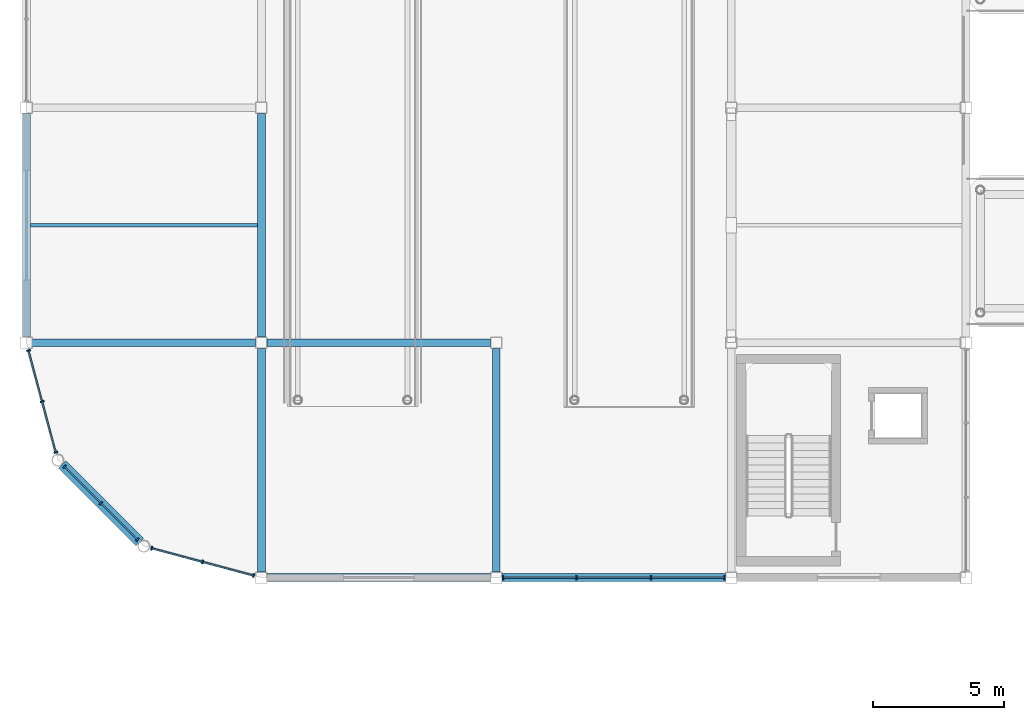
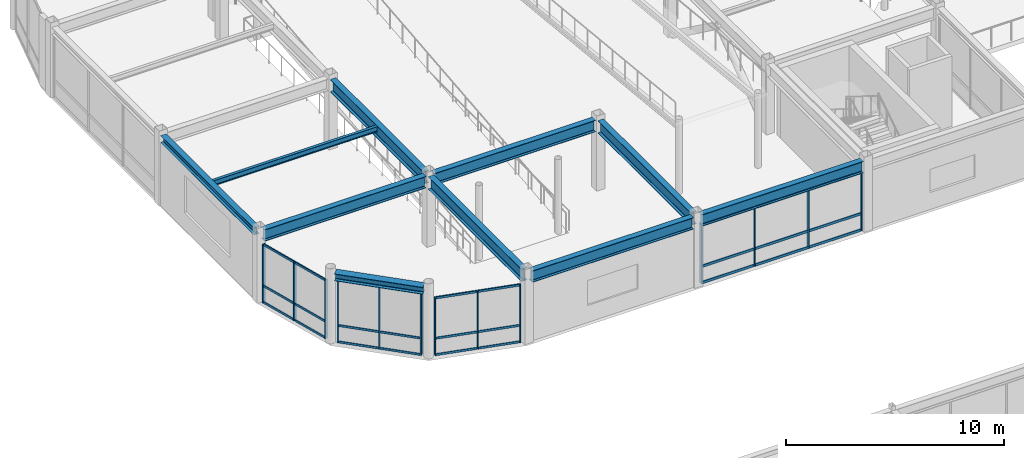
# One storey, part 31 of 105: 40 members, 10 beams, 4 elements without a shape of their own.
"""IFC4 building model written with IfcOpenShell, lengths in metres."""

import ifcopenshell
import ifcopenshell.guid

model = None  # the IFC model being written
_history = None  # IfcOwnerHistory: only IFC2X3 demands one
_inside = {}  # id of a spatial element -> (the spatial element, [elements in it])
_under = {}  # id of a project, library or spatial element -> (it, [spatial elements below it])
_declared = {}  # id of a project -> (the project, [libraries it declares])
_typed = {}  # id of a type object -> (the type object, [elements of that type])
_made_of = {}  # id of a material, layer set ... -> (it, [elements and type objects made of it])


def new_model(schema):
    """Start an empty IFC model of exactly this schema.

    Asked for "IFC4X3", IfcOpenShell would pick the latest addendum, in which some entities
    have other attributes; the version numbers below select the first issue.
    IFC2X3 requires an IfcOwnerHistory on every rooted entity: one is made here for all.
    """
    global model, _history
    if schema == "IFC4X3":
        model = ifcopenshell.file(schema_version=(4, 3, 0, 0))
    else:
        model = ifcopenshell.file(schema=schema)
    _inside.clear()
    _under.clear()
    _declared.clear()
    _typed.clear()
    _made_of.clear()
    _history = None
    if model.schema == "IFC2X3":
        org = make("IfcOrganization", Name="unknown")
        user = make(
            "IfcPersonAndOrganization",
            ThePerson=make("IfcPerson", FamilyName="unknown"),
            TheOrganization=org,
        )
        app = make(
            "IfcApplication",
            ApplicationDeveloper=org,
            Version="unknown",
            ApplicationFullName="unknown",
            ApplicationIdentifier="unknown",
        )
        _history = make(
            "IfcOwnerHistory",
            OwningUser=user,
            OwningApplication=app,
            ChangeAction="ADDED",
            CreationDate=0,
        )
    return model


def make(cls, **values):
    """One entity of the class cls with the attributes given. An attribute that is None is left unset."""
    return model.create_entity(
        cls, **{name: value for name, value in values.items() if value is not None}
    )


def rooted(cls, **values):
    """An entity with a GlobalId (a new one), such as an element, a storey or a relation."""
    return make(cls, GlobalId=ifcopenshell.guid.new(), OwnerHistory=_history, **values)


def si_unit(unit_type, name, prefix=None):
    """IfcSIUnit, for example si_unit("LENGTHUNIT", "METRE", prefix="MILLI")."""
    return make("IfcSIUnit", UnitType=unit_type, Prefix=prefix, Name=name)


def assignment(units):
    """IfcUnitAssignment: the units of a project."""
    return None if units is None else make("IfcUnitAssignment", Units=units)


def point(xyz):
    """IfcCartesianPoint."""
    return None if xyz is None else make("IfcCartesianPoint", Coordinates=xyz)


def direction(xyz):
    """IfcDirection."""
    return None if xyz is None else make("IfcDirection", DirectionRatios=xyz)


def frame(location, z_axis=None, x_axis=None):
    """IfcAxis2Placement3D, a coordinate frame: its origin and axes. An axis left out is left unset."""
    return make(
        "IfcAxis2Placement3D",
        Location=point(location),
        Axis=direction(z_axis),
        RefDirection=direction(x_axis),
    )


def frame_2d(location, x_axis=None):
    """IfcAxis2Placement2D, a coordinate frame in the plane: its origin and x axis."""
    return make(
        "IfcAxis2Placement2D", Location=point(location), RefDirection=direction(x_axis)
    )


def origin():
    """The frame at (0, 0, 0) with its axes left unset."""
    return frame((0.0, 0.0, 0.0))


def origin_2d():
    """The frame at (0, 0) in the plane with its x axis left unset."""
    return frame_2d((0.0, 0.0))


def place(relative_to, where):
    """IfcLocalPlacement: puts the frame where relative to a parent placement (None: the world)."""
    return make(
        "IfcLocalPlacement", PlacementRelTo=relative_to, RelativePlacement=where
    )


def context(
    kind, dimensions, precision=None, world=None, true_north=None, identifier=None
):
    """IfcGeometricRepresentationContext, for example the 3D "Model" context."""
    return make(
        "IfcGeometricRepresentationContext",
        ContextIdentifier=identifier,
        ContextType=kind,
        CoordinateSpaceDimension=dimensions,
        Precision=precision,
        WorldCoordinateSystem=world,
        TrueNorth=true_north,
    )


def subcontext(parent, identifier, kind, view, scale=None):
    """IfcGeometricRepresentationSubContext, for example "Body" below "Model"."""
    return make(
        "IfcGeometricRepresentationSubContext",
        ContextIdentifier=identifier,
        ContextType=kind,
        ParentContext=parent,
        TargetScale=scale,
        TargetView=view,
    )


def project(units=None, contexts=None):
    """IfcProject with its units and contexts."""
    return rooted(
        "IfcProject",
        Name="project",
        RepresentationContexts=contexts,
        UnitsInContext=assignment(units),
    )


def spatial(cls, under=None, at=None, **own):
    """A site, building, storey or space (cls), placed at a placement, below another one or the project."""
    s = rooted(cls, ObjectPlacement=at, **own)
    if under is not None:
        _under.setdefault(under.id(), (under, []))[1].append(s)
    return s


def profile(cls, at=None, kind="AREA", **sizes):
    """A parametric profile (cls). Its sizes go by their IFC names, for example OverallWidth=200.0."""
    return make(cls, ProfileType=kind, Position=at, **sizes)


def rectangle(**sizes):
    """IfcRectangleProfileDef."""
    return profile("IfcRectangleProfileDef", **sizes)


def i_section(**sizes):
    """IfcIShapeProfileDef."""
    return profile("IfcIShapeProfileDef", **sizes)


def extrude(swept, where, along, depth):
    """IfcExtrudedAreaSolid: the profile swept, set in the frame where, extruded along a direction by depth."""
    return make(
        "IfcExtrudedAreaSolid",
        SweptArea=swept,
        Position=where,
        ExtrudedDirection=direction(along),
        Depth=depth,
    )


def shape(context_of_items, identifier, shape_type, items):
    """IfcShapeRepresentation: the items that make up one representation, for example the "Body"."""
    return make(
        "IfcShapeRepresentation",
        ContextOfItems=context_of_items,
        RepresentationIdentifier=identifier,
        RepresentationType=shape_type,
        Items=items,
    )


def material(Name=None, Category=None):
    """IfcMaterial."""
    return make("IfcMaterial", Name=Name, Category=Category)


def material_profile(
    of_material, cross_section, Name=None, Category=None, Priority=None
):
    """IfcMaterialProfile: a cross section and its material."""
    return make(
        "IfcMaterialProfile",
        Name=Name,
        Material=of_material,
        Profile=cross_section,
        Priority=Priority,
        Category=Category,
    )


def profile_set(profiles, Name=None, composite=None):
    """IfcMaterialProfileSet."""
    return make(
        "IfcMaterialProfileSet",
        Name=Name,
        MaterialProfiles=profiles,
        CompositeProfile=composite,
    )


def made_of(thing, what):
    """Note that an element or type object is made of a material, layer set ...; save() writes the relation."""
    if what is not None:
        _made_of.setdefault(what.id(), (what, []))[1].append(thing)
    return thing


def type_object(cls, material=None, **own):
    """A type object (cls), such as IfcWallType, which elements share."""
    return made_of(rooted(cls, **own), material)


def element(
    cls,
    number,
    at=None,
    inside=None,
    cuts=None,
    type_object=None,
    material=None,
    context=None,
    identifier="Body",
    shape_type=None,
    held_by="IfcProductDefinitionShape",
    body=None,
    shapes=None,
    **own,
):
    """One element of the class cls, such as IfcWall. Its Tag is "e" and its number.

    at: its placement. inside: the storey or other place that contains it. cuts: it is an
    opening in that element (IfcRelVoidsElement). A single representation is given by context,
    identifier, shape_type and body (its items); several are given by shapes. held_by: the class
    of the entity that holds the representations. save() writes the other relations.
    """
    e = rooted(cls, Tag="e%d" % number, ObjectPlacement=at, **own)
    if body is not None:
        shapes = [shape(context, identifier, shape_type, body)]
    if shapes is not None:
        e.Representation = make(held_by, Representations=shapes)
    if inside is not None:
        _inside.setdefault(inside.id(), (inside, []))[1].append(e)
    if cuts is not None:
        rooted(
            "IfcRelVoidsElement", RelatingBuildingElement=cuts, RelatedOpeningElement=e
        )
    if type_object is not None:
        _typed.setdefault(type_object.id(), (type_object, []))[1].append(e)
    return made_of(e, material)


def aggregate(whole, parts):
    """IfcRelAggregates: a whole, such as a stair, and the parts it consists of."""
    return rooted("IfcRelAggregates", RelatingObject=whole, RelatedObjects=parts)


def save(model, path):
    """Write the relations noted so far, then the file.

    IfcRelAggregates (storeys below a building ...), IfcRelContainedInSpatialStructure (elements
    in a storey), IfcRelDefinesByType, IfcRelAssociatesMaterial and IfcRelDeclares: one each for
    every whole, place, type object, material and project.
    """
    for whole, parts in _under.values():
        aggregate(whole, parts)
    for where, things in _inside.values():
        rooted(
            "IfcRelContainedInSpatialStructure",
            RelatedElements=things,
            RelatingStructure=where,
        )
    for kind, things in _typed.values():
        rooted("IfcRelDefinesByType", RelatedObjects=things, RelatingType=kind)
    for what, things in _made_of.values():
        rooted("IfcRelAssociatesMaterial", RelatedObjects=things, RelatingMaterial=what)
    for by, libraries in _declared.values():
        rooted("IfcRelDeclares", RelatingContext=by, RelatedDefinitions=libraries)
    model.write(path)


model = new_model("IFC4")

# Units and contexts
model_context = context("Model", 3, precision=1e-05, world=origin(), true_north=direction((0.0, 1.0)))
body_context = subcontext(model_context, "Body", "Model", "MODEL_VIEW")
ifc_project = project(units=[si_unit("LENGTHUNIT", "METRE"), si_unit("AREAUNIT", "SQUARE_METRE"), si_unit("VOLUMEUNIT", "CUBIC_METRE"), si_unit("PLANEANGLEUNIT", "RADIAN"), si_unit("MASSUNIT", "GRAM", prefix="KILO")], contexts=[model_context])

# Site, building, storey
site_placement = place(None, origin())
site = spatial("IfcSite", under=ifc_project, at=site_placement, CompositionType="ELEMENT")
building_placement = place(site_placement, origin())
building = spatial("IfcBuilding", under=site, at=building_placement, Name="Suzunagisa Mobility Hub", CompositionType="ELEMENT")
storey_placement = place(building_placement, frame((0.0, 0.0, 5.10009765625)))
storey = spatial("IfcBuildingStorey", under=building, at=storey_placement, Name="L01", CompositionType="ELEMENT", Elevation=5.10009765625)

# Curtain wall, members
ifc_material_1 = material(Name="Thermally Broken Anodized Aluminum and Low-E Glazing", Category="aluminium")
curtain_wall_type_1 = type_object("IfcCurtainWallType", Name="Unitised Curtain Wall CW-43 8500x3300", PredefinedType="USERDEFINED", material=ifc_material_1)
curtain_wall_1_placement = place(storey_placement, origin())
curtain_wall_1 = element("IfcCurtainWall", 1, at=curtain_wall_1_placement, inside=storey, type_object=curtain_wall_type_1, Name="L01 Unitised Curtain Wall CW-55", ObjectType="UNITISED CURTAIN WALL", PredefinedType="USERDEFINED")
ifc_material_2 = material(Name="Anodized Aluminum 6063-T6", Category="aluminium")
ifc_material_profile_1 = material_profile(ifc_material_2, rectangle(XDim=0.06494140625, YDim=0.139892578125, at=origin_2d()), Name="TRAN-65x140")
ifc_profile_set_1 = profile_set([ifc_material_profile_1], Name="Anodized Aluminum 6063-T6")
member_type_1 = type_object("IfcMemberType", Name="Curtain Wall Framing CM-01 TRAN-65x140", PredefinedType="USERDEFINED", material=ifc_profile_set_1)
member_1_placement = place(storey_placement, frame((18.282958984375, 80.0, 0.032470703125), z_axis=(1.0, 0.0, 0.0), x_axis=(0.0, 1.0, 0.0)))
member_1 = element("IfcMember", 2, at=member_1_placement, type_object=member_type_1, Name="Curtain Wall Transom 55-T1.1", ObjectType="TRANSOM", PredefinedType="USERDEFINED", context=body_context, shape_type="SweptSolid", body=[
    extrude(rectangle(XDim=0.06494140625, YDim=0.139892578125, at=origin_2d()), origin(), (0.0, 0.0, 1.0), 2.76416015625),
])
member_2_placement = place(storey_placement, frame((18.282958984375, 80.0, 0.949951171875), z_axis=(1.0, 0.0, 0.0), x_axis=(0.0, 1.0, 0.0)))
member_2 = element("IfcMember", 3, at=member_2_placement, type_object=member_type_1, Name="Curtain Wall Transom 55-T1.2", ObjectType="TRANSOM", PredefinedType="USERDEFINED", context=body_context, shape_type="SweptSolid", body=[
    extrude(rectangle(XDim=0.06494140625, YDim=0.139892578125, at=origin_2d()), origin(), (0.0, 0.0, 1.0), 2.76416015625),
])
member_3_placement = place(storey_placement, frame((18.282958984375, 80.0, 3.25732421875), z_axis=(1.0, 0.0, 0.0), x_axis=(0.0, 1.0, 0.0)))
member_3 = element("IfcMember", 4, at=member_3_placement, type_object=member_type_1, Name="Curtain Wall Transom 55-T1.3", ObjectType="TRANSOM", PredefinedType="USERDEFINED", context=body_context, shape_type="SweptSolid", body=[
    extrude(rectangle(XDim=0.06494140625, YDim=0.139892578125, at=origin_2d()), origin(), (0.0, 0.0, 1.0), 2.76416015625),
])
member_4_placement = place(storey_placement, frame((21.10302734375, 80.0, 0.032470703125), z_axis=(1.0, 0.0, 0.0), x_axis=(0.0, 1.0, 0.0)))
member_4 = element("IfcMember", 5, at=member_4_placement, type_object=member_type_1, Name="Curtain Wall Transom 55-T2.1", ObjectType="TRANSOM", PredefinedType="USERDEFINED", context=body_context, shape_type="SweptSolid", body=[
    extrude(rectangle(XDim=0.06494140625, YDim=0.139892578125, at=origin_2d()), origin(), (0.0, 0.0, 1.0), 2.7939453125),
])
member_5_placement = place(storey_placement, frame((21.10302734375, 80.0, 0.949951171875), z_axis=(1.0, 0.0, 0.0), x_axis=(0.0, 1.0, 0.0)))
member_5 = element("IfcMember", 6, at=member_5_placement, type_object=member_type_1, Name="Curtain Wall Transom 55-T2.2", ObjectType="TRANSOM", PredefinedType="USERDEFINED", context=body_context, shape_type="SweptSolid", body=[
    extrude(rectangle(XDim=0.06494140625, YDim=0.139892578125, at=origin_2d()), origin(), (0.0, 0.0, 1.0), 2.7939453125),
])
member_6_placement = place(storey_placement, frame((21.10302734375, 80.0, 3.25732421875), z_axis=(1.0, 0.0, 0.0), x_axis=(0.0, 1.0, 0.0)))
member_6 = element("IfcMember", 7, at=member_6_placement, type_object=member_type_1, Name="Curtain Wall Transom 55-T2.3", ObjectType="TRANSOM", PredefinedType="USERDEFINED", context=body_context, shape_type="SweptSolid", body=[
    extrude(rectangle(XDim=0.06494140625, YDim=0.139892578125, at=origin_2d()), origin(), (0.0, 0.0, 1.0), 2.7939453125),
])
member_7_placement = place(storey_placement, frame((23.952880859375, 80.0, 0.032470703125), z_axis=(1.0, 0.0, 0.0), x_axis=(0.0, 1.0, 0.0)))
member_7 = element("IfcMember", 8, at=member_7_placement, type_object=member_type_1, Name="Curtain Wall Transom 55-T3.1", ObjectType="TRANSOM", PredefinedType="USERDEFINED", context=body_context, shape_type="SweptSolid", body=[
    extrude(rectangle(XDim=0.06494140625, YDim=0.139892578125, at=origin_2d()), origin(), (0.0, 0.0, 1.0), 2.76416015625),
])
member_8_placement = place(storey_placement, frame((23.952880859375, 80.0, 0.949951171875), z_axis=(1.0, 0.0, 0.0), x_axis=(0.0, 1.0, 0.0)))
member_8 = element("IfcMember", 9, at=member_8_placement, type_object=member_type_1, Name="Curtain Wall Transom 55-T3.2", ObjectType="TRANSOM", PredefinedType="USERDEFINED", context=body_context, shape_type="SweptSolid", body=[
    extrude(rectangle(XDim=0.06494140625, YDim=0.139892578125, at=origin_2d()), origin(), (0.0, 0.0, 1.0), 2.76416015625),
])
member_9_placement = place(storey_placement, frame((23.952880859375, 80.0, 3.25732421875), z_axis=(1.0, 0.0, 0.0), x_axis=(0.0, 1.0, 0.0)))
member_9 = element("IfcMember", 10, at=member_9_placement, type_object=member_type_1, Name="Curtain Wall Transom 55-T3.3", ObjectType="TRANSOM", PredefinedType="USERDEFINED", context=body_context, shape_type="SweptSolid", body=[
    extrude(rectangle(XDim=0.06494140625, YDim=0.139892578125, at=origin_2d()), origin(), (0.0, 0.0, 1.0), 2.76416015625),
])

curtain_wall_type_2 = type_object("IfcCurtainWallType", Name="Unitised Curtain Wall CW-10 4000x3300", PredefinedType="USERDEFINED", material=ifc_material_1)
curtain_wall_2_placement = place(storey_placement, origin())
curtain_wall_2 = element("IfcCurtainWall", 11, at=curtain_wall_2_placement, inside=storey, type_object=curtain_wall_type_2, Name="L01 Unitised Curtain Wall CW-52", ObjectType="UNITISED CURTAIN WALL", PredefinedType="USERDEFINED")
ifc_material_profile_2 = material_profile(ifc_material_2, rectangle(XDim=0.06005859375, YDim=0.1201171875, at=origin_2d()), Name="TRAN-60x120")
ifc_profile_set_2 = profile_set([ifc_material_profile_2], Name="Anodized Aluminum 6063-T6")
member_type_2 = type_object("IfcMemberType", Name="Curtain Wall Framing CM-02 TRAN-60x120", PredefinedType="USERDEFINED", material=ifc_profile_set_2)
member_10_placement = place(storey_placement, frame((0.086181640625, 88.677734375, 0.02978515625), z_axis=(0.258984429069, -0.965881496613, 0.0), x_axis=(0.965881496613, 0.258984429069, 0.0)))
member_10 = element("IfcMember", 12, at=member_10_placement, type_object=member_type_2, Name="Curtain Wall Transom 52-T1.1", ObjectType="TRANSOM", PredefinedType="USERDEFINED", context=body_context, shape_type="SweptSolid", body=[
    extrude(rectangle(XDim=0.06005859375, YDim=0.1201171875, at=origin_2d()), origin(), (0.0, 0.0, 1.0), 1.965576171875),
])
member_11_placement = place(storey_placement, frame((0.086181640625, 88.677734375, 0.949951171875), z_axis=(0.258984429069, -0.965881496613, 0.0), x_axis=(0.965881496613, 0.258984429069, 0.0)))
member_11 = element("IfcMember", 13, at=member_11_placement, type_object=member_type_2, Name="Curtain Wall Transom 52-T1.2", ObjectType="TRANSOM", PredefinedType="USERDEFINED", context=body_context, shape_type="SweptSolid", body=[
    extrude(rectangle(XDim=0.06005859375, YDim=0.1201171875, at=origin_2d()), origin(), (0.0, 0.0, 1.0), 1.965576171875),
])
member_12_placement = place(storey_placement, frame((0.086181640625, 88.677734375, 3.260009765625), z_axis=(0.258984429069, -0.965881496613, 0.0), x_axis=(0.965881496613, 0.258984429069, 0.0)))
member_12 = element("IfcMember", 14, at=member_12_placement, type_object=member_type_2, Name="Curtain Wall Transom 52-T1.3", ObjectType="TRANSOM", PredefinedType="USERDEFINED", context=body_context, shape_type="SweptSolid", body=[
    extrude(rectangle(XDim=0.06005859375, YDim=0.1201171875, at=origin_2d()), origin(), (0.0, 0.0, 1.0), 1.965576171875),
])
member_13_placement = place(storey_placement, frame((0.609619140625, 86.72509765625, 0.02978515625), z_axis=(0.258837485455, -0.965920885023, 0.0), x_axis=(0.965920885023, 0.258837485455, 0.0)))
member_13 = element("IfcMember", 15, at=member_13_placement, type_object=member_type_2, Name="Curtain Wall Transom 52-T2.1", ObjectType="TRANSOM", PredefinedType="USERDEFINED", context=body_context, shape_type="SweptSolid", body=[
    extrude(rectangle(XDim=0.06005859375, YDim=0.1201171875, at=origin_2d()), origin(), (0.0, 0.0, 1.0), 1.965576171875),
])
member_14_placement = place(storey_placement, frame((0.609619140625, 86.72509765625, 0.949951171875), z_axis=(0.258837485455, -0.965920885023, 0.0), x_axis=(0.965920885023, 0.258837485455, 0.0)))
member_14 = element("IfcMember", 16, at=member_14_placement, type_object=member_type_2, Name="Curtain Wall Transom 52-T2.2", ObjectType="TRANSOM", PredefinedType="USERDEFINED", context=body_context, shape_type="SweptSolid", body=[
    extrude(rectangle(XDim=0.06005859375, YDim=0.1201171875, at=origin_2d()), origin(), (0.0, 0.0, 1.0), 1.965576171875),
])
member_15_placement = place(storey_placement, frame((0.609619140625, 86.72509765625, 3.260009765625), z_axis=(0.258837485455, -0.965920885023, 0.0), x_axis=(0.965920885023, 0.258837485455, 0.0)))
member_15 = element("IfcMember", 17, at=member_15_placement, type_object=member_type_2, Name="Curtain Wall Transom 52-T2.3", ObjectType="TRANSOM", PredefinedType="USERDEFINED", context=body_context, shape_type="SweptSolid", body=[
    extrude(rectangle(XDim=0.06005859375, YDim=0.1201171875, at=origin_2d()), origin(), (0.0, 0.0, 1.0), 1.965576171875),
])

curtain_wall_type_3 = type_object("IfcCurtainWallType", Name="Unitised Curtain Wall CW-23 4000x3500", PredefinedType="USERDEFINED", material=ifc_material_1)
curtain_wall_3_placement = place(storey_placement, origin())
curtain_wall_3 = element("IfcCurtainWall", 18, at=curtain_wall_3_placement, inside=storey, type_object=curtain_wall_type_3, Name="L01 Unitised Curtain Wall CW-53", ObjectType="UNITISED CURTAIN WALL", PredefinedType="USERDEFINED")
member_16_placement = place(storey_placement, frame((1.475341796875, 84.23046875, 0.02978515625), z_axis=(0.707106781187, -0.707106781187, 0.0), x_axis=(0.707106781187, 0.707106781187, 0.0)))
member_16 = element("IfcMember", 19, at=member_16_placement, type_object=member_type_2, Name="Curtain Wall Transom 53-T1.1", ObjectType="TRANSOM", PredefinedType="USERDEFINED", context=body_context, shape_type="SweptSolid", body=[
    extrude(rectangle(XDim=0.06005859375, YDim=0.1201171875, at=origin_2d()), origin(), (0.0, 0.0, 1.0), 1.919921875),
])
member_17_placement = place(storey_placement, frame((1.475341796875, 84.23046875, 0.949951171875), z_axis=(0.707106781187, -0.707106781187, 0.0), x_axis=(0.707106781187, 0.707106781187, 0.0)))
member_17 = element("IfcMember", 20, at=member_17_placement, type_object=member_type_2, Name="Curtain Wall Transom 53-T1.2", ObjectType="TRANSOM", PredefinedType="USERDEFINED", context=body_context, shape_type="SweptSolid", body=[
    extrude(rectangle(XDim=0.06005859375, YDim=0.1201171875, at=origin_2d()), origin(), (0.0, 0.0, 1.0), 1.919921875),
])
member_18_placement = place(storey_placement, frame((1.475341796875, 84.23046875, 3.510009765625), z_axis=(0.707106781187, -0.707106781187, 0.0), x_axis=(0.707106781187, 0.707106781187, 0.0)))
member_18 = element("IfcMember", 21, at=member_18_placement, type_object=member_type_2, Name="Curtain Wall Transom 53-T1.3", ObjectType="TRANSOM", PredefinedType="USERDEFINED", context=body_context, shape_type="SweptSolid", body=[
    extrude(rectangle(XDim=0.06005859375, YDim=0.1201171875, at=origin_2d()), origin(), (0.0, 0.0, 1.0), 1.919921875),
])
member_19_placement = place(storey_placement, frame((2.872802734375, 82.8330078125, 0.02978515625), z_axis=(0.707106781187, -0.707106781187, 0.0), x_axis=(0.707106781187, 0.707106781187, 0.0)))
member_19 = element("IfcMember", 22, at=member_19_placement, type_object=member_type_2, Name="Curtain Wall Transom 53-T2.1", ObjectType="TRANSOM", PredefinedType="USERDEFINED", context=body_context, shape_type="SweptSolid", body=[
    extrude(rectangle(XDim=0.06005859375, YDim=0.1201171875, at=origin_2d()), origin(), (0.0, 0.0, 1.0), 1.919921875),
])
member_20_placement = place(storey_placement, frame((2.872802734375, 82.8330078125, 0.949951171875), z_axis=(0.707106781187, -0.707106781187, 0.0), x_axis=(0.707106781187, 0.707106781187, 0.0)))
member_20 = element("IfcMember", 23, at=member_20_placement, type_object=member_type_2, Name="Curtain Wall Transom 53-T2.2", ObjectType="TRANSOM", PredefinedType="USERDEFINED", context=body_context, shape_type="SweptSolid", body=[
    extrude(rectangle(XDim=0.06005859375, YDim=0.1201171875, at=origin_2d()), origin(), (0.0, 0.0, 1.0), 1.919921875),
])
member_21_placement = place(storey_placement, frame((2.872802734375, 82.8330078125, 3.510009765625), z_axis=(0.707106781187, -0.707106781187, 0.0), x_axis=(0.707106781187, 0.707106781187, 0.0)))
member_21 = element("IfcMember", 24, at=member_21_placement, type_object=member_type_2, Name="Curtain Wall Transom 53-T2.3", ObjectType="TRANSOM", PredefinedType="USERDEFINED", context=body_context, shape_type="SweptSolid", body=[
    extrude(rectangle(XDim=0.06005859375, YDim=0.1201171875, at=origin_2d()), origin(), (0.0, 0.0, 1.0), 1.919921875),
])

curtain_wall_type_4 = type_object("IfcCurtainWallType", Name="Unitised Curtain Wall CW-31 4000x3200", PredefinedType="USERDEFINED", material=ifc_material_1)
curtain_wall_4_placement = place(storey_placement, origin())
curtain_wall_4 = element("IfcCurtainWall", 25, at=curtain_wall_4_placement, inside=storey, type_object=curtain_wall_type_4, Name="L01 Unitised Curtain Wall CW-54", ObjectType="UNITISED CURTAIN WALL", PredefinedType="USERDEFINED")
member_22_placement = place(storey_placement, frame((4.826416015625, 81.118408203125, 0.02978515625), z_axis=(0.965920885023, -0.258837485455, 0.0), x_axis=(0.258837485455, 0.965920885023, 0.0)))
member_22 = element("IfcMember", 26, at=member_22_placement, type_object=member_type_2, Name="Curtain Wall Transom 54-T1.1", ObjectType="TRANSOM", PredefinedType="USERDEFINED", context=body_context, shape_type="SweptSolid", body=[
    extrude(rectangle(XDim=0.06005859375, YDim=0.1201171875, at=origin_2d()), origin(), (0.0, 0.0, 1.0), 1.965576171875),
])
member_23_placement = place(storey_placement, frame((4.826416015625, 81.118408203125, 0.949951171875), z_axis=(0.965920885023, -0.258837485455, 0.0), x_axis=(0.258837485455, 0.965920885023, 0.0)))
member_23 = element("IfcMember", 27, at=member_23_placement, type_object=member_type_2, Name="Curtain Wall Transom 54-T1.2", ObjectType="TRANSOM", PredefinedType="USERDEFINED", context=body_context, shape_type="SweptSolid", body=[
    extrude(rectangle(XDim=0.06005859375, YDim=0.1201171875, at=origin_2d()), origin(), (0.0, 0.0, 1.0), 1.965576171875),
])
member_24_placement = place(storey_placement, frame((4.826416015625, 81.118408203125, 3.2099609375), z_axis=(0.965920885023, -0.258837485455, 0.0), x_axis=(0.258837485455, 0.965920885023, 0.0)))
member_24 = element("IfcMember", 28, at=member_24_placement, type_object=member_type_2, Name="Curtain Wall Transom 54-T1.3", ObjectType="TRANSOM", PredefinedType="USERDEFINED", context=body_context, shape_type="SweptSolid", body=[
    extrude(rectangle(XDim=0.06005859375, YDim=0.1201171875, at=origin_2d()), origin(), (0.0, 0.0, 1.0), 1.965576171875),
])
member_25_placement = place(storey_placement, frame((6.779052734375, 80.594970703125, 0.02978515625), z_axis=(0.965920885023, -0.258837485455, 0.0), x_axis=(0.258837485455, 0.965920885023, 0.0)))
member_25 = element("IfcMember", 29, at=member_25_placement, type_object=member_type_2, Name="Curtain Wall Transom 54-T2.1", ObjectType="TRANSOM", PredefinedType="USERDEFINED", context=body_context, shape_type="SweptSolid", body=[
    extrude(rectangle(XDim=0.06005859375, YDim=0.1201171875, at=origin_2d()), origin(), (0.0, 0.0, 1.0), 1.965576171875),
])
member_26_placement = place(storey_placement, frame((6.779052734375, 80.594970703125, 0.949951171875), z_axis=(0.965920885023, -0.258837485455, 0.0), x_axis=(0.258837485455, 0.965920885023, 0.0)))
member_26 = element("IfcMember", 30, at=member_26_placement, type_object=member_type_2, Name="Curtain Wall Transom 54-T2.2", ObjectType="TRANSOM", PredefinedType="USERDEFINED", context=body_context, shape_type="SweptSolid", body=[
    extrude(rectangle(XDim=0.06005859375, YDim=0.1201171875, at=origin_2d()), origin(), (0.0, 0.0, 1.0), 1.965576171875),
])
member_27_placement = place(storey_placement, frame((6.779052734375, 80.594970703125, 3.2099609375), z_axis=(0.965920885023, -0.258837485455, 0.0), x_axis=(0.258837485455, 0.965920885023, 0.0)))
member_27 = element("IfcMember", 31, at=member_27_placement, type_object=member_type_2, Name="Curtain Wall Transom 54-T2.3", ObjectType="TRANSOM", PredefinedType="USERDEFINED", context=body_context, shape_type="SweptSolid", body=[
    extrude(rectangle(XDim=0.06005859375, YDim=0.1201171875, at=origin_2d()), origin(), (0.0, 0.0, 1.0), 1.965576171875),
])

# Member
ifc_material_profile_3 = material_profile(ifc_material_2, rectangle(XDim=0.06005859375, YDim=0.14990234375, at=origin_2d()), Name="MULL-60x150")
ifc_profile_set_3 = profile_set([ifc_material_profile_3], Name="Anodized Aluminum 6063-T6")
member_type_3 = type_object("IfcMemberType", Name="Curtain Wall Framing CM-03 MULL-60x150", PredefinedType="MULLION", material=ifc_profile_set_3)
member_28_placement = place(storey_placement, frame((0.0791015625, 88.704833984375, 0.0), z_axis=(0.0, 0.0, 1.0), x_axis=(0.258821357779, -0.965925206606, 0.0)))
member_28 = element("IfcMember", 32, at=member_28_placement, type_object=member_type_3, Name="Curtain Wall Mullion 52-M1", PredefinedType="MULLION", context=body_context, shape_type="SweptSolid", body=[
    extrude(rectangle(XDim=0.06005859375, YDim=0.14990234375, at=origin_2d()), origin(), (0.0, 0.0, 1.0), 3.289794921875),
])

member_29_placement = place(storey_placement, frame((0.602294921875, 86.752197265625, 0.0), z_axis=(0.0, 0.0, 1.0), x_axis=(0.258821357779, -0.965925206606, 0.0)))
member_29 = element("IfcMember", 33, at=member_29_placement, type_object=member_type_3, Name="Curtain Wall Mullion 52-M2", PredefinedType="MULLION", context=body_context, shape_type="SweptSolid", body=[
    extrude(rectangle(XDim=0.06005859375, YDim=0.14990234375, at=origin_2d()), origin(), (0.0, 0.0, 1.0), 3.289794921875),
])

member_30_placement = place(storey_placement, frame((1.12548828125, 84.79931640625, 0.0), z_axis=(0.0, 0.0, 1.0), x_axis=(0.258821357779, -0.965925206606, 0.0)))
member_30 = element("IfcMember", 34, at=member_30_placement, type_object=member_type_3, Name="Curtain Wall Mullion 52-M3", PredefinedType="MULLION", context=body_context, shape_type="SweptSolid", body=[
    extrude(rectangle(XDim=0.06005859375, YDim=0.14990234375, at=origin_2d()), origin(), (0.0, 0.0, 1.0), 3.289794921875),
])

aggregate(curtain_wall_2, [member_28, member_29, member_30, member_10, member_11, member_12, member_13, member_14, member_15])

member_31_placement = place(storey_placement, frame((1.45556640625, 84.250244140625, 0.0), z_axis=(0.0, 0.0, 1.0), x_axis=(0.707106781187, -0.707106781187, 0.0)))
member_31 = element("IfcMember", 35, at=member_31_placement, type_object=member_type_3, Name="Curtain Wall Mullion 53-M1", PredefinedType="MULLION", context=body_context, shape_type="SweptSolid", body=[
    extrude(rectangle(XDim=0.06005859375, YDim=0.14990234375, at=origin_2d()), origin(), (0.0, 0.0, 1.0), 3.539794921875),
])

member_32_placement = place(storey_placement, frame((2.852783203125, 82.852783203125, 0.0), z_axis=(0.0, 0.0, 1.0), x_axis=(0.707106781187, -0.707106781187, 0.0)))
member_32 = element("IfcMember", 36, at=member_32_placement, type_object=member_type_3, Name="Curtain Wall Mullion 53-M2", PredefinedType="MULLION", context=body_context, shape_type="SweptSolid", body=[
    extrude(rectangle(XDim=0.06005859375, YDim=0.14990234375, at=origin_2d()), origin(), (0.0, 0.0, 1.0), 3.539794921875),
])

member_33_placement = place(storey_placement, frame((4.250244140625, 81.45556640625, 0.0), z_axis=(0.0, 0.0, 1.0), x_axis=(0.707106781187, -0.707106781187, 0.0)))
member_33 = element("IfcMember", 37, at=member_33_placement, type_object=member_type_3, Name="Curtain Wall Mullion 53-M3", PredefinedType="MULLION", context=body_context, shape_type="SweptSolid", body=[
    extrude(rectangle(XDim=0.06005859375, YDim=0.14990234375, at=origin_2d()), origin(), (0.0, 0.0, 1.0), 3.539794921875),
])

aggregate(curtain_wall_3, [member_31, member_32, member_33, member_16, member_17, member_18, member_19, member_20, member_21])

member_34_placement = place(storey_placement, frame((4.79931640625, 81.12548828125, 0.0), z_axis=(0.0, 0.0, 1.0), x_axis=(0.965925206606, -0.258821357779, 0.0)))
member_34 = element("IfcMember", 38, at=member_34_placement, type_object=member_type_3, Name="Curtain Wall Mullion 54-M1", PredefinedType="MULLION", context=body_context, shape_type="SweptSolid", body=[
    extrude(rectangle(XDim=0.06005859375, YDim=0.14990234375, at=origin_2d()), origin(), (0.0, 0.0, 1.0), 3.239990234375),
])

member_35_placement = place(storey_placement, frame((6.752197265625, 80.602294921875, 0.0), z_axis=(0.0, 0.0, 1.0), x_axis=(0.965925206606, -0.258821357779, 0.0)))
member_35 = element("IfcMember", 39, at=member_35_placement, type_object=member_type_3, Name="Curtain Wall Mullion 54-M2", PredefinedType="MULLION", context=body_context, shape_type="SweptSolid", body=[
    extrude(rectangle(XDim=0.06005859375, YDim=0.14990234375, at=origin_2d()), origin(), (0.0, 0.0, 1.0), 3.239990234375),
])

member_36_placement = place(storey_placement, frame((8.704833984375, 80.0791015625, 0.0), z_axis=(0.0, 0.0, 1.0), x_axis=(0.965925206606, -0.258821357779, 0.0)))
member_36 = element("IfcMember", 40, at=member_36_placement, type_object=member_type_3, Name="Curtain Wall Mullion 54-M3", PredefinedType="MULLION", context=body_context, shape_type="SweptSolid", body=[
    extrude(rectangle(XDim=0.06005859375, YDim=0.14990234375, at=origin_2d()), origin(), (0.0, 0.0, 1.0), 3.239990234375),
])

aggregate(curtain_wall_4, [member_34, member_35, member_36, member_22, member_23, member_24, member_25, member_26, member_27])

member_37_placement = place(storey_placement, frame((18.2548828125, 80.0, 0.0), z_axis=(0.0, 0.0, 1.0), x_axis=(1.0, 0.0, 0.0)))
member_37 = element("IfcMember", 41, at=member_37_placement, type_object=member_type_3, Name="Curtain Wall Mullion 55-M1", PredefinedType="MULLION", context=body_context, shape_type="SweptSolid", body=[
    extrude(rectangle(XDim=0.06005859375, YDim=0.14990234375, at=origin_2d()), origin(), (0.0, 0.0, 1.0), 3.289794921875),
])

member_38_placement = place(storey_placement, frame((21.074951171875, 80.0, 0.0), z_axis=(0.0, 0.0, 1.0), x_axis=(1.0, 0.0, 0.0)))
member_38 = element("IfcMember", 42, at=member_38_placement, type_object=member_type_3, Name="Curtain Wall Mullion 55-M2", PredefinedType="MULLION", context=body_context, shape_type="SweptSolid", body=[
    extrude(rectangle(XDim=0.06005859375, YDim=0.14990234375, at=origin_2d()), origin(), (0.0, 0.0, 1.0), 3.289794921875),
])

member_39_placement = place(storey_placement, frame((23.925048828125, 80.0, 0.0), z_axis=(0.0, 0.0, 1.0), x_axis=(1.0, 0.0, 0.0)))
member_39 = element("IfcMember", 43, at=member_39_placement, type_object=member_type_3, Name="Curtain Wall Mullion 55-M3", PredefinedType="MULLION", context=body_context, shape_type="SweptSolid", body=[
    extrude(rectangle(XDim=0.06005859375, YDim=0.14990234375, at=origin_2d()), origin(), (0.0, 0.0, 1.0), 3.289794921875),
])

member_40_placement = place(storey_placement, frame((26.7451171875, 80.0, 0.0), z_axis=(0.0, 0.0, 1.0), x_axis=(1.0, 0.0, 0.0)))
member_40 = element("IfcMember", 44, at=member_40_placement, type_object=member_type_3, Name="Curtain Wall Mullion 55-M4", PredefinedType="MULLION", context=body_context, shape_type="SweptSolid", body=[
    extrude(rectangle(XDim=0.06005859375, YDim=0.14990234375, at=origin_2d()), origin(), (0.0, 0.0, 1.0), 3.289794921875),
])

aggregate(curtain_wall_1, [member_37, member_38, member_39, member_40, member_1, member_2, member_3, member_4, member_5, member_6, member_7, member_8, member_9])

# Beams
ifc_material_3 = material(Name="Steel SN490B", Category="steel")
ifc_material_profile_4 = material_profile(ifc_material_3, i_section(OverallWidth=0.300048828125, OverallDepth=0.64990234375, WebThickness=0.012939453125, FlangeThickness=0.02197265625, FilletRadius=0.01611328125, at=origin_2d()), Name="H-650x300x13x22")
ifc_profile_set_4 = profile_set([ifc_material_profile_4], Name="Steel SN490B")
beam_type_1 = type_object("IfcBeamType", Name="Steel Beam BM-10 H-650x300x13x22", PredefinedType="BEAM", material=ifc_profile_set_4)
for number, where, z_axis, x_axis, name in (
    (45, (9.220947265625, 80.0, 3.614990234375), (1.0, 0.0, 0.0), (0.0, 1.0, 0.0), "L01 Primary Girder GX-486"),
    (46, (18.220947265625, 80.0, 3.614990234375), (1.0, 0.0, 0.0), (0.0, 1.0, 0.0), "L01 Primary Girder GX-487"),
    (47, (0.220947265625, 89.0, 3.614990234375), (1.0, 0.0, 0.0), (0.0, 1.0, 0.0), "L01 Primary Girder GX-489"),
    (48, (9.220947265625, 89.0, 3.614990234375), (1.0, 0.0, 0.0), (0.0, 1.0, 0.0), "L01 Primary Girder GX-490"),
):
    element("IfcBeam", number, at=place(storey_placement, frame(where, z_axis=z_axis, x_axis=x_axis)), inside=storey, type_object=beam_type_1, Name=name, PredefinedType="BEAM", context=body_context, shape_type="SweptSolid", body=[
        extrude(i_section(OverallWidth=0.300048828125, OverallDepth=0.64990234375, WebThickness=0.012939453125, FlangeThickness=0.02197265625, FilletRadius=0.01611328125, at=origin_2d()), origin(), (0.0, 0.0, 1.0), 8.55810546875),
    ])
ifc_material_profile_5 = material_profile(ifc_material_3, i_section(OverallWidth=0.300048828125, OverallDepth=0.699951171875, WebThickness=0.012939453125, FlangeThickness=0.02392578125, FilletRadius=0.01806640625, at=origin_2d()), Name="H-700x300x13x24")
ifc_profile_set_5 = profile_set([ifc_material_profile_5], Name="Steel SN490B")
beam_type_2 = type_object("IfcBeamType", Name="Steel Beam BM-11 H-700x300x13x24", PredefinedType="BEAM", material=ifc_profile_set_5)
for number, where, z_axis, x_axis, name in (
    (49, (9.0, 80.220947265625, 3.58984375), (0.0, 1.0, 0.0), (-1.0, 0.0, 0.0), "L01 Primary Girder GY-501"),
    (50, (9.0, 89.220947265625, 3.58984375), (0.0, 1.0, 0.0), (-1.0, 0.0, 0.0), "L01 Primary Girder GY-502"),
    (51, (18.0, 80.220947265625, 3.58984375), (0.0, 1.0, 0.0), (-1.0, 0.0, 0.0), "L01 Primary Girder GY-505"),
):
    element("IfcBeam", number, at=place(storey_placement, frame(where, z_axis=z_axis, x_axis=x_axis)), inside=storey, type_object=beam_type_2, Name=name, PredefinedType="BEAM", context=body_context, shape_type="SweptSolid", body=[
        extrude(i_section(OverallWidth=0.300048828125, OverallDepth=0.699951171875, WebThickness=0.012939453125, FlangeThickness=0.02392578125, FilletRadius=0.01806640625, at=origin_2d()), origin(), (0.0, 0.0, 1.0), 8.55810546875),
    ])
ifc_material_profile_6 = material_profile(ifc_material_3, i_section(OverallWidth=0.39990234375, OverallDepth=0.39990234375, WebThickness=0.012939453125, FlangeThickness=0.02099609375, FilletRadius=0.01611328125, at=origin_2d()), Name="H-400x400x13x21")
ifc_profile_set_6 = profile_set([ifc_material_profile_6], Name="Steel SN490B")
beam_type_3 = type_object("IfcBeamType", Name="Steel Beam BM-12 H-400x400x13x21", PredefinedType="SPANDREL", material=ifc_profile_set_6)
beam_1_placement = place(storey_placement, frame((1.367431640625, 84.33837890625, 3.739990234375), z_axis=(0.707106781187, -0.707106781187, 0.0), x_axis=(0.707106781187, 0.707106781187, 0.0)))
element("IfcBeam", 52, at=beam_1_placement, inside=storey, type_object=beam_type_3, Name="L01 Streamline Prow Spandrel 514", PredefinedType="SPANDREL", context=body_context, shape_type="SweptSolid", body=[
    extrude(i_section(OverallWidth=0.39990234375, OverallDepth=0.39990234375, WebThickness=0.012939453125, FlangeThickness=0.02099609375, FilletRadius=0.01611328125, at=origin_2d()), origin(), (0.0, 0.0, 1.0), 4.20166015625),
])
ifc_material_profile_7 = material_profile(ifc_material_3, i_section(OverallWidth=0.300048828125, OverallDepth=0.389892578125, WebThickness=0.010009765625, FlangeThickness=0.01611328125, FilletRadius=0.012939453125, at=origin_2d()), Name="H-390x300x10x16")
ifc_profile_set_7 = profile_set([ifc_material_profile_7], Name="Steel SN490B")
beam_type_4 = type_object("IfcBeamType", Name="Steel Beam BM-13 H-390x300x10x16", PredefinedType="SPANDREL", material=ifc_profile_set_7)
beam_2_placement = place(storey_placement, frame((0.0, 89.220947265625, 3.744873046875), z_axis=(0.0, 1.0, 0.0), x_axis=(-1.0, 0.0, 0.0)))
element("IfcBeam", 53, at=beam_2_placement, inside=storey, type_object=beam_type_4, Name="L01 Primary Girder GY-499", PredefinedType="SPANDREL", context=body_context, shape_type="SweptSolid", body=[
    extrude(i_section(OverallWidth=0.300048828125, OverallDepth=0.389892578125, WebThickness=0.010009765625, FlangeThickness=0.01611328125, FilletRadius=0.012939453125, at=origin_2d()), origin(), (0.0, 0.0, 1.0), 8.55810546875),
])
ifc_material_4 = material(Name="Steel SN400B", Category="steel")
ifc_material_profile_8 = material_profile(ifc_material_4, i_section(OverallWidth=0.14990234375, OverallDepth=0.300048828125, WebThickness=0.006591796875, FlangeThickness=0.009033203125, FilletRadius=0.008056640625, at=origin_2d()), Name="H-300x150x6.5x9")
ifc_profile_set_8 = profile_set([ifc_material_profile_8], Name="Steel SN400B")
beam_type_5 = type_object("IfcBeamType", Name="Steel Beam BM-24 H-300x150x6.5x9", PredefinedType="JOIST", material=ifc_profile_set_8)
beam_3_placement = place(storey_placement, frame((0.14990234375, 93.5, 3.789794921875), z_axis=(1.0, 0.0, 0.0), x_axis=(0.0, 1.0, 0.0)))
element("IfcBeam", 54, at=beam_3_placement, inside=storey, type_object=beam_type_5, Name="L01 Composite Floor Joist J-516", PredefinedType="JOIST", context=body_context, shape_type="SweptSolid", body=[
    extrude(i_section(OverallWidth=0.14990234375, OverallDepth=0.300048828125, WebThickness=0.006591796875, FlangeThickness=0.009033203125, FilletRadius=0.008056640625, at=origin_2d()), origin(), (0.0, 0.0, 1.0), 8.7001953125),
])

save(model, "model.ifc")
